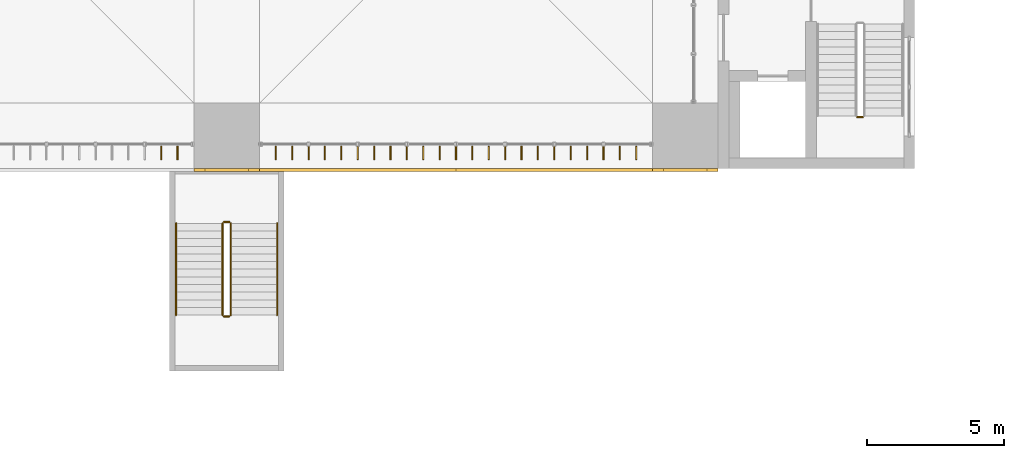
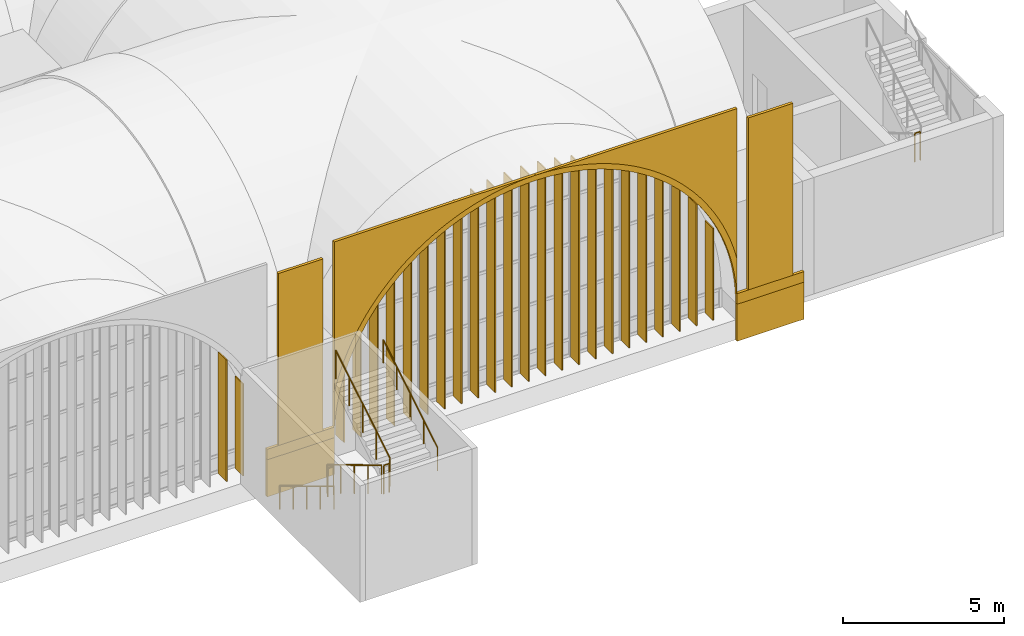
# One storey, part 166 of 169: 25 shading devices, 9 coverings, 7 railings.
"""IFC4 building model written with IfcOpenShell, lengths in metres."""

from ifc_helpers import new_model, si_unit, direction, frame, origin, origin_2d, place, context, subcontext, project, spatial, polyline, rectangle, circle, outline, extrude, material, layer, layer_set, type_object, element, save


model = new_model("IFC4")

# Units and contexts
model_context = context("Model", 3, precision=1e-05, world=origin(), true_north=direction((0.0, 1.0)))
body_context = subcontext(model_context, "Body", "Model", "MODEL_VIEW")
ifc_project = project(units=[si_unit("LENGTHUNIT", "METRE"), si_unit("AREAUNIT", "SQUARE_METRE"), si_unit("VOLUMEUNIT", "CUBIC_METRE"), si_unit("PLANEANGLEUNIT", "RADIAN"), si_unit("MASSUNIT", "GRAM", prefix="KILO")], contexts=[model_context])

# Site, building, storey
site_placement = place(None, origin())
site = spatial("IfcSite", under=ifc_project, at=site_placement, CompositionType="ELEMENT")
building_placement = place(site_placement, origin())
building = spatial("IfcBuilding", under=site, at=building_placement, Name="Verrick Yard Athletic Hall", CompositionType="ELEMENT")
storey_placement = place(building_placement, frame((0.0, 0.0, 4.39990234375)))
storey = spatial("IfcBuildingStorey", under=building, at=storey_placement, Name="L01", CompositionType="ELEMENT", Elevation=4.39990234375)

# Shading devices
ifc_material_1 = material(Name="Anodised aluminium", Category="aluminium")
ifc_layer_1 = layer(ifc_material_1, 0.0400390625)
ifc_layer_set_1 = layer_set([ifc_layer_1], Name="Arcade fin")
shading_device_type = type_object("IfcShadingDeviceType", Name="Arcade fin", PredefinedType="USERDEFINED", material=ifc_layer_set_1)
shading_device_1_placement = place(storey_placement, frame((138.39990234375, 18.82373046875, 0.0), z_axis=(0.0, 0.0, 1.0), x_axis=(0.0, -1.0, 0.0)))
element("IfcShadingDevice", 1, at=shading_device_1_placement, inside=storey, type_object=shading_device_type, Name="Fin RS6.22", ObjectType="FIN", PredefinedType="USERDEFINED", context=body_context, shape_type="SweptSolid", body=[
    extrude(outline(polyline([(0.0, 0.0), (0.5, 0.0), (0.5, 4.5966796875), (0.0, 4.5966796875), (0.0, 0.0)])), frame((0.0, 0.02001953125, 0.0), z_axis=(0.0, -1.0, 0.0), x_axis=(1.0, 0.0, 0.0)), (0.0, 0.0, 1.0), 0.0400390625),
])
for number, where, z_axis, x_axis, name in (
    (2, (139.0, 18.82373046875, 0.0), (0.0, 0.0, 1.0), (0.0, -1.0, 0.0), "Fin RS6.23"),
    (3, (142.60009765625, 18.82373046875, 0.0), (0.0, 0.0, 1.0), (0.0, -1.0, 0.0), "Fin RS7.1"),
):
    element("IfcShadingDevice", number, at=place(storey_placement, frame(where, z_axis=z_axis, x_axis=x_axis)), inside=storey, type_object=shading_device_type, Name=name, ObjectType="FIN", PredefinedType="USERDEFINED", context=body_context, shape_type="SweptSolid", body=[
        extrude(outline(polyline([(0.0, 0.0), (0.5, 0.0), (0.5, 3.4775390625), (0.0, 3.4775390625), (0.0, 0.0)])), frame((0.0, 0.02001953125, 0.0), z_axis=(0.0, -1.0, 0.0), x_axis=(1.0, 0.0, 0.0)), (0.0, 0.0, 1.0), 0.0400390625),
    ])
shading_device_2_placement = place(storey_placement, frame((143.199951171875, 18.82373046875, 0.0), z_axis=(0.0, 0.0, 1.0), x_axis=(0.0, -1.0, 0.0)))
element("IfcShadingDevice", 4, at=shading_device_2_placement, inside=storey, type_object=shading_device_type, Name="Fin RS7.2", ObjectType="FIN", PredefinedType="USERDEFINED", context=body_context, shape_type="SweptSolid", body=[
    extrude(outline(polyline([(0.0, 0.0), (0.5, 0.0), (0.5, 4.5966796875), (0.0, 4.5966796875), (0.0, 0.0)])), frame((0.0, 0.02001953125, 0.0), z_axis=(0.0, -1.0, 0.0), x_axis=(1.0, 0.0, 0.0)), (0.0, 0.0, 1.0), 0.0400390625),
])
shading_device_3_placement = place(storey_placement, frame((143.800048828125, 18.82373046875, 0.0), z_axis=(0.0, 0.0, 1.0), x_axis=(0.0, -1.0, 0.0)))
element("IfcShadingDevice", 5, at=shading_device_3_placement, inside=storey, type_object=shading_device_type, Name="Fin RS7.3", ObjectType="FIN", PredefinedType="USERDEFINED", context=body_context, shape_type="SweptSolid", body=[
    extrude(outline(polyline([(0.0, 0.0), (0.5, 0.0), (0.5, 5.38671875), (0.0, 5.38671875), (0.0, 0.0)])), frame((0.0, 0.02001953125, 0.0), z_axis=(0.0, -1.0, 0.0), x_axis=(1.0, 0.0, 0.0)), (0.0, 0.0, 1.0), 0.0400390625),
])
shading_device_4_placement = place(storey_placement, frame((144.39990234375, 18.82373046875, 0.0), z_axis=(0.0, 0.0, 1.0), x_axis=(0.0, -1.0, 0.0)))
element("IfcShadingDevice", 6, at=shading_device_4_placement, inside=storey, type_object=shading_device_type, Name="Fin RS7.4", ObjectType="FIN", PredefinedType="USERDEFINED", context=body_context, shape_type="SweptSolid", body=[
    extrude(outline(polyline([(0.0, 0.0), (0.5, 0.0), (0.5, 5.996826171875), (0.0, 5.996826171875), (0.0, 0.0)])), frame((0.0, 0.02001953125, 0.0), z_axis=(0.0, -1.0, 0.0), x_axis=(1.0, 0.0, 0.0)), (0.0, 0.0, 1.0), 0.0400390625),
])
shading_device_5_placement = place(storey_placement, frame((145.0, 18.82373046875, 0.0), z_axis=(0.0, 0.0, 1.0), x_axis=(0.0, -1.0, 0.0)))
element("IfcShadingDevice", 7, at=shading_device_5_placement, inside=storey, type_object=shading_device_type, Name="Fin RS7.5", ObjectType="FIN", PredefinedType="USERDEFINED", context=body_context, shape_type="SweptSolid", body=[
    extrude(outline(polyline([(0.0, 0.0), (0.5, 0.0), (0.5, 6.481201171875), (0.0, 6.481201171875), (0.0, 0.0)])), frame((0.0, 0.02001953125, 0.0), z_axis=(0.0, -1.0, 0.0), x_axis=(1.0, 0.0, 0.0)), (0.0, 0.0, 1.0), 0.0400390625),
])
shading_device_6_placement = place(storey_placement, frame((145.60009765625, 18.82373046875, 0.0), z_axis=(0.0, 0.0, 1.0), x_axis=(0.0, -1.0, 0.0)))
element("IfcShadingDevice", 8, at=shading_device_6_placement, inside=storey, type_object=shading_device_type, Name="Fin RS7.6", ObjectType="FIN", PredefinedType="USERDEFINED", context=body_context, shape_type="SweptSolid", body=[
    extrude(outline(polyline([(0.0, 0.0), (0.5, 0.0), (0.5, 6.872802734375), (0.0, 6.872802734375), (0.0, 0.0)])), frame((0.0, 0.02001953125, 0.0), z_axis=(0.0, -1.0, 0.0), x_axis=(1.0, 0.0, 0.0)), (0.0, 0.0, 1.0), 0.0400390625),
])
shading_device_7_placement = place(storey_placement, frame((146.199951171875, 18.82373046875, 0.0), z_axis=(0.0, 0.0, 1.0), x_axis=(0.0, -1.0, 0.0)))
element("IfcShadingDevice", 9, at=shading_device_7_placement, inside=storey, type_object=shading_device_type, Name="Fin RS7.7", ObjectType="FIN", PredefinedType="USERDEFINED", context=body_context, shape_type="SweptSolid", body=[
    extrude(outline(polyline([(0.0, 0.0), (0.5, 0.0), (0.5, 7.18505859375), (0.0, 7.18505859375), (0.0, 0.0)])), frame((0.0, 0.02001953125, 0.0), z_axis=(0.0, -1.0, 0.0), x_axis=(1.0, 0.0, 0.0)), (0.0, 0.0, 1.0), 0.0400390625),
])
shading_device_8_placement = place(storey_placement, frame((146.800048828125, 18.82373046875, 0.0), z_axis=(0.0, 0.0, 1.0), x_axis=(0.0, -1.0, 0.0)))
element("IfcShadingDevice", 10, at=shading_device_8_placement, inside=storey, type_object=shading_device_type, Name="Fin RS7.8", ObjectType="FIN", PredefinedType="USERDEFINED", context=body_context, shape_type="SweptSolid", body=[
    extrude(outline(polyline([(0.0, 0.0), (0.5, 0.0), (0.5, 7.4296875), (0.0, 7.4296875), (0.0, 0.0)])), frame((0.0, 0.02001953125, 0.0), z_axis=(0.0, -1.0, 0.0), x_axis=(1.0, 0.0, 0.0)), (0.0, 0.0, 1.0), 0.0400390625),
])
shading_device_9_placement = place(storey_placement, frame((147.39990234375, 18.82373046875, 0.0), z_axis=(0.0, 0.0, 1.0), x_axis=(0.0, -1.0, 0.0)))
element("IfcShadingDevice", 11, at=shading_device_9_placement, inside=storey, type_object=shading_device_type, Name="Fin RS7.9", ObjectType="FIN", PredefinedType="USERDEFINED", context=body_context, shape_type="SweptSolid", body=[
    extrude(outline(polyline([(0.0, 0.0), (0.5, 0.0), (0.5, 7.614990234375), (0.0, 7.614990234375), (0.0, 0.0)])), frame((0.0, 0.02001953125, 0.0), z_axis=(0.0, -1.0, 0.0), x_axis=(1.0, 0.0, 0.0)), (0.0, 0.0, 1.0), 0.0400390625),
])
shading_device_10_placement = place(storey_placement, frame((148.0, 18.82373046875, 0.0), z_axis=(0.0, 0.0, 1.0), x_axis=(0.0, -1.0, 0.0)))
element("IfcShadingDevice", 12, at=shading_device_10_placement, inside=storey, type_object=shading_device_type, Name="Fin RS7.10", ObjectType="FIN", PredefinedType="USERDEFINED", context=body_context, shape_type="SweptSolid", body=[
    extrude(outline(polyline([(0.0, 0.0), (0.5, 0.0), (0.5, 7.744873046875), (0.0, 7.744873046875), (0.0, 0.0)])), frame((0.0, 0.02001953125, 0.0), z_axis=(0.0, -1.0, 0.0), x_axis=(1.0, 0.0, 0.0)), (0.0, 0.0, 1.0), 0.0400390625),
])
shading_device_11_placement = place(storey_placement, frame((148.60009765625, 18.82373046875, 0.0), z_axis=(0.0, 0.0, 1.0), x_axis=(0.0, -1.0, 0.0)))
element("IfcShadingDevice", 13, at=shading_device_11_placement, inside=storey, type_object=shading_device_type, Name="Fin RS7.11", ObjectType="FIN", PredefinedType="USERDEFINED", context=body_context, shape_type="SweptSolid", body=[
    extrude(outline(polyline([(0.0, 0.0), (0.5, 0.0), (0.5, 7.82275390625), (0.0, 7.82275390625), (0.0, 0.0)])), frame((0.0, 0.02001953125, 0.0), z_axis=(0.0, -1.0, 0.0), x_axis=(1.0, 0.0, 0.0)), (0.0, 0.0, 1.0), 0.0400390625),
])
shading_device_12_placement = place(storey_placement, frame((149.199951171875, 18.82373046875, 0.0), z_axis=(0.0, 0.0, 1.0), x_axis=(0.0, -1.0, 0.0)))
element("IfcShadingDevice", 14, at=shading_device_12_placement, inside=storey, type_object=shading_device_type, Name="Fin RS7.12", ObjectType="FIN", PredefinedType="USERDEFINED", context=body_context, shape_type="SweptSolid", body=[
    extrude(outline(polyline([(0.0, 0.0), (0.5, 0.0), (0.5, 7.84912109375), (0.0, 7.84912109375), (0.0, 0.0)])), frame((0.0, 0.02001953125, 0.0), z_axis=(0.0, -1.0, 0.0), x_axis=(1.0, 0.0, 0.0)), (0.0, 0.0, 1.0), 0.0400390625),
])
shading_device_13_placement = place(storey_placement, frame((149.800048828125, 18.82373046875, 0.0), z_axis=(0.0, 0.0, 1.0), x_axis=(0.0, -1.0, 0.0)))
element("IfcShadingDevice", 15, at=shading_device_13_placement, inside=storey, type_object=shading_device_type, Name="Fin RS7.13", ObjectType="FIN", PredefinedType="USERDEFINED", context=body_context, shape_type="SweptSolid", body=[
    extrude(outline(polyline([(0.0, 0.0), (0.5, 0.0), (0.5, 7.82275390625), (0.0, 7.82275390625), (0.0, 0.0)])), frame((0.0, 0.02001953125, 0.0), z_axis=(0.0, -1.0, 0.0), x_axis=(1.0, 0.0, 0.0)), (0.0, 0.0, 1.0), 0.0400390625),
])
shading_device_14_placement = place(storey_placement, frame((150.39990234375, 18.82373046875, 0.0), z_axis=(0.0, 0.0, 1.0), x_axis=(0.0, -1.0, 0.0)))
element("IfcShadingDevice", 16, at=shading_device_14_placement, inside=storey, type_object=shading_device_type, Name="Fin RS7.14", ObjectType="FIN", PredefinedType="USERDEFINED", context=body_context, shape_type="SweptSolid", body=[
    extrude(outline(polyline([(0.0, 0.0), (0.5, 0.0), (0.5, 7.744873046875), (0.0, 7.744873046875), (0.0, 0.0)])), frame((0.0, 0.02001953125, 0.0), z_axis=(0.0, -1.0, 0.0), x_axis=(1.0, 0.0, 0.0)), (0.0, 0.0, 1.0), 0.0400390625),
])
shading_device_15_placement = place(storey_placement, frame((151.0, 18.82373046875, 0.0), z_axis=(0.0, 0.0, 1.0), x_axis=(0.0, -1.0, 0.0)))
element("IfcShadingDevice", 17, at=shading_device_15_placement, inside=storey, type_object=shading_device_type, Name="Fin RS7.15", ObjectType="FIN", PredefinedType="USERDEFINED", context=body_context, shape_type="SweptSolid", body=[
    extrude(outline(polyline([(0.0, 0.0), (0.5, 0.0), (0.5, 7.614990234375), (0.0, 7.614990234375), (0.0, 0.0)])), frame((0.0, 0.02001953125, 0.0), z_axis=(0.0, -1.0, 0.0), x_axis=(1.0, 0.0, 0.0)), (0.0, 0.0, 1.0), 0.0400390625),
])
shading_device_16_placement = place(storey_placement, frame((151.60009765625, 18.82373046875, 0.0), z_axis=(0.0, 0.0, 1.0), x_axis=(0.0, -1.0, 0.0)))
element("IfcShadingDevice", 18, at=shading_device_16_placement, inside=storey, type_object=shading_device_type, Name="Fin RS7.16", ObjectType="FIN", PredefinedType="USERDEFINED", context=body_context, shape_type="SweptSolid", body=[
    extrude(outline(polyline([(0.0, 0.0), (0.5, 0.0), (0.5, 7.4296875), (0.0, 7.4296875), (0.0, 0.0)])), frame((0.0, 0.02001953125, 0.0), z_axis=(0.0, -1.0, 0.0), x_axis=(1.0, 0.0, 0.0)), (0.0, 0.0, 1.0), 0.0400390625),
])
shading_device_17_placement = place(storey_placement, frame((152.199951171875, 18.82373046875, 0.0), z_axis=(0.0, 0.0, 1.0), x_axis=(0.0, -1.0, 0.0)))
element("IfcShadingDevice", 19, at=shading_device_17_placement, inside=storey, type_object=shading_device_type, Name="Fin RS7.17", ObjectType="FIN", PredefinedType="USERDEFINED", context=body_context, shape_type="SweptSolid", body=[
    extrude(outline(polyline([(0.0, 0.0), (0.5, 0.0), (0.5, 7.18505859375), (0.0, 7.18505859375), (0.0, 0.0)])), frame((0.0, 0.02001953125, 0.0), z_axis=(0.0, -1.0, 0.0), x_axis=(1.0, 0.0, 0.0)), (0.0, 0.0, 1.0), 0.0400390625),
])
shading_device_18_placement = place(storey_placement, frame((152.800048828125, 18.82373046875, 0.0), z_axis=(0.0, 0.0, 1.0), x_axis=(0.0, -1.0, 0.0)))
element("IfcShadingDevice", 20, at=shading_device_18_placement, inside=storey, type_object=shading_device_type, Name="Fin RS7.18", ObjectType="FIN", PredefinedType="USERDEFINED", context=body_context, shape_type="SweptSolid", body=[
    extrude(outline(polyline([(0.0, 0.0), (0.5, 0.0), (0.5, 6.872802734375), (0.0, 6.872802734375), (0.0, 0.0)])), frame((0.0, 0.02001953125, 0.0), z_axis=(0.0, -1.0, 0.0), x_axis=(1.0, 0.0, 0.0)), (0.0, 0.0, 1.0), 0.0400390625),
])
shading_device_19_placement = place(storey_placement, frame((153.39990234375, 18.82373046875, 0.0), z_axis=(0.0, 0.0, 1.0), x_axis=(0.0, -1.0, 0.0)))
element("IfcShadingDevice", 21, at=shading_device_19_placement, inside=storey, type_object=shading_device_type, Name="Fin RS7.19", ObjectType="FIN", PredefinedType="USERDEFINED", context=body_context, shape_type="SweptSolid", body=[
    extrude(outline(polyline([(0.0, 0.0), (0.5, 0.0), (0.5, 6.481201171875), (0.0, 6.481201171875), (0.0, 0.0)])), frame((0.0, 0.02001953125, 0.0), z_axis=(0.0, -1.0, 0.0), x_axis=(1.0, 0.0, 0.0)), (0.0, 0.0, 1.0), 0.0400390625),
])
shading_device_20_placement = place(storey_placement, frame((154.0, 18.82373046875, 0.0), z_axis=(0.0, 0.0, 1.0), x_axis=(0.0, -1.0, 0.0)))
element("IfcShadingDevice", 22, at=shading_device_20_placement, inside=storey, type_object=shading_device_type, Name="Fin RS7.20", ObjectType="FIN", PredefinedType="USERDEFINED", context=body_context, shape_type="SweptSolid", body=[
    extrude(outline(polyline([(0.0, 0.0), (0.5, 0.0), (0.5, 5.996826171875), (0.0, 5.996826171875), (0.0, 0.0)])), frame((0.0, 0.02001953125, 0.0), z_axis=(0.0, -1.0, 0.0), x_axis=(1.0, 0.0, 0.0)), (0.0, 0.0, 1.0), 0.0400390625),
])
shading_device_21_placement = place(storey_placement, frame((154.60009765625, 18.82373046875, 0.0), z_axis=(0.0, 0.0, 1.0), x_axis=(0.0, -1.0, 0.0)))
element("IfcShadingDevice", 23, at=shading_device_21_placement, inside=storey, type_object=shading_device_type, Name="Fin RS7.21", ObjectType="FIN", PredefinedType="USERDEFINED", context=body_context, shape_type="SweptSolid", body=[
    extrude(outline(polyline([(0.0, 0.0), (0.5, 0.0), (0.5, 5.38671875), (0.0, 5.38671875), (0.0, 0.0)])), frame((0.0, 0.02001953125, 0.0), z_axis=(0.0, -1.0, 0.0), x_axis=(1.0, 0.0, 0.0)), (0.0, 0.0, 1.0), 0.0400390625),
])
shading_device_22_placement = place(storey_placement, frame((155.199951171875, 18.82373046875, 0.0), z_axis=(0.0, 0.0, 1.0), x_axis=(0.0, -1.0, 0.0)))
element("IfcShadingDevice", 24, at=shading_device_22_placement, inside=storey, type_object=shading_device_type, Name="Fin RS7.22", ObjectType="FIN", PredefinedType="USERDEFINED", context=body_context, shape_type="SweptSolid", body=[
    extrude(outline(polyline([(0.0, 0.0), (0.5, 0.0), (0.5, 4.5966796875), (0.0, 4.5966796875), (0.0, 0.0)])), frame((0.0, 0.02001953125, 0.0), z_axis=(0.0, -1.0, 0.0), x_axis=(1.0, 0.0, 0.0)), (0.0, 0.0, 1.0), 0.0400390625),
])
shading_device_23_placement = place(storey_placement, frame((155.800048828125, 18.82373046875, 0.0), z_axis=(0.0, 0.0, 1.0), x_axis=(0.0, -1.0, 0.0)))
element("IfcShadingDevice", 25, at=shading_device_23_placement, inside=storey, type_object=shading_device_type, Name="Fin RS7.23", ObjectType="FIN", PredefinedType="USERDEFINED", context=body_context, shape_type="SweptSolid", body=[
    extrude(outline(polyline([(0.0, 0.0), (0.5, 0.0), (0.5, 3.4775390625), (0.0, 3.4775390625), (0.0, 0.0)])), frame((0.0, 0.02001953125, 0.0), z_axis=(0.0, -1.0, 0.0), x_axis=(1.0, 0.0, 0.0)), (0.0, 0.0, 1.0), 0.0400390625),
])

# Coverings
ifc_material_2 = material(Name="Limestone cladding", Category="masonry")
ifc_layer_2 = layer(ifc_material_2, 0.10009765625)
ifc_layer_set_2 = layer_set([ifc_layer_2], Name="Arch ring cladding")
covering_type_1 = type_object("IfcCoveringType", Name="Arch ring cladding", PredefinedType="CLADDING", material=ifc_layer_set_2)
covering_1_placement = place(storey_placement, frame((142.0, 17.949951171875, 0.650146484375), z_axis=(0.0, 0.0, 1.0), x_axis=(1.0, 0.0, 0.0)))
element("IfcCovering", 26, at=covering_1_placement, inside=storey, type_object=covering_type_1, Name="Arch ring RS7", PredefinedType="CLADDING", context=body_context, shape_type="SweptSolid", body=[
    extrude(outline(polyline([(0.0, 1.7021484375), (0.0, 0.0), (0.0068359375, 0.31396484375), (0.02734375, 0.62744140625), (0.0615234375, 0.939697265625), (0.109375, 1.250244140625), (0.170654296875, 1.558349609375), (0.245361328125, 1.863525390625), (0.333251953125, 2.1650390625), (0.43408203125, 2.46240234375), (0.548095703125, 2.75537109375), (0.674560546875, 3.04296875), (0.8134765625, 3.324462890625), (0.964599609375, 3.599853515625), (1.127685546875, 3.86865234375), (1.302001953125, 4.129638671875), (1.48779296875, 4.383056640625), (1.6845703125, 4.6279296875), (1.8916015625, 4.8642578125), (2.10888671875, 5.091064453125), (2.335693359375, 5.308349609375), (2.572021484375, 5.515380859375), (2.81689453125, 5.712158203125), (3.0703125, 5.89794921875), (3.331298828125, 6.072265625), (3.60009765625, 6.2353515625), (3.87548828125, 6.386474609375), (4.156982421875, 6.525390625), (4.444580078125, 6.65185546875), (4.737548828125, 6.765869140625), (5.034912109375, 6.86669921875), (5.33642578125, 6.95458984375), (5.6416015625, 7.029296875), (5.94970703125, 7.090576171875), (6.26025390625, 7.138427734375), (6.572509765625, 7.172607421875), (6.885986328125, 7.193115234375), (7.199951171875, 7.199951171875), (7.51416015625, 7.193115234375), (7.827392578125, 7.172607421875), (8.139892578125, 7.138427734375), (8.4501953125, 7.090576171875), (8.75830078125, 7.029296875), (9.0634765625, 6.95458984375), (9.364990234375, 6.86669921875), (9.66259765625, 6.765869140625), (9.955322265625, 6.65185546875), (10.242919921875, 6.525390625), (10.524658203125, 6.386474609375), (10.800048828125, 6.2353515625), (11.068603515625, 6.072265625), (11.329833984375, 5.89794921875), (11.5830078125, 5.712158203125), (11.828125, 5.515380859375), (12.064208984375, 5.308349609375), (12.291259765625, 5.091064453125), (12.50830078125, 4.8642578125), (12.715576171875, 4.6279296875), (12.912109375, 4.383056640625), (13.097900390625, 4.129638671875), (13.2724609375, 3.86865234375), (13.435302734375, 3.599853515625), (13.58642578125, 3.324462890625), (13.725341796875, 3.04296875), (13.851806640625, 2.75537109375), (13.9658203125, 2.46240234375), (14.06689453125, 2.1650390625), (14.15478515625, 1.863525390625), (14.229248046875, 1.558349609375), (14.29052734375, 1.250244140625), (14.33837890625, 0.939697265625), (14.37255859375, 0.62744140625), (14.39306640625, 0.31396484375), (14.39990234375, 0.0), (14.39990234375, 1.7021484375), (14.347900390625, 1.915283203125), (14.257568359375, 2.22509765625), (14.15380859375, 2.53076171875), (14.03662109375, 2.831787109375), (13.90673828125, 3.12744140625), (13.763916015625, 3.416748046875), (13.608642578125, 3.699951171875), (13.441162109375, 3.975830078125), (13.26171875, 4.244384765625), (13.07080078125, 4.504638671875), (12.86865234375, 4.756591796875), (12.656005859375, 4.999267578125), (12.4326171875, 5.232666015625), (12.199462890625, 5.455810546875), (11.95654296875, 5.668701171875), (11.704833984375, 5.870849609375), (11.444580078125, 6.061767578125), (11.176025390625, 6.240966796875), (10.89990234375, 6.408447265625), (10.616943359375, 6.56396484375), (10.327392578125, 6.70654296875), (10.031982421875, 6.836669921875), (9.73095703125, 6.95361328125), (9.42529296875, 7.057373046875), (9.115234375, 7.14794921875), (8.8017578125, 7.224609375), (8.485107421875, 7.28759765625), (8.166015625, 7.336669921875), (7.844970703125, 7.371826171875), (7.522705078125, 7.39306640625), (7.199951171875, 7.39990234375), (6.877197265625, 7.39306640625), (6.554931640625, 7.371826171875), (6.234130859375, 7.336669921875), (5.9150390625, 7.28759765625), (5.598388671875, 7.224609375), (5.28466796875, 7.14794921875), (4.974853515625, 7.057373046875), (4.669189453125, 6.95361328125), (4.3681640625, 6.836669921875), (4.072509765625, 6.70654296875), (3.783203125, 6.56396484375), (3.5, 6.408447265625), (3.22412109375, 6.240966796875), (2.95556640625, 6.061767578125), (2.6953125, 5.870849609375), (2.443359375, 5.668701171875), (2.20068359375, 5.455810546875), (1.96728515625, 5.232666015625), (1.744140625, 4.999267578125), (1.53125, 4.756591796875), (1.3291015625, 4.504638671875), (1.13818359375, 4.244384765625), (0.958984375, 3.975830078125), (0.79150390625, 3.699951171875), (0.635986328125, 3.416748046875), (0.493408203125, 3.12744140625), (0.36328125, 2.831787109375), (0.246337890625, 2.53076171875), (0.142578125, 2.22509765625), (0.052001953125, 1.915283203125), (0.0, 1.7021484375)])), frame((0.0, 0.050048828125, 0.0), z_axis=(0.0, -1.0, 0.0), x_axis=(1.0, 0.0, 0.0)), (0.0, 0.0, 1.0), 0.10009765625),
])
ifc_layer_3 = layer(ifc_material_2, 0.10009765625)
ifc_layer_set_3 = layer_set([ifc_layer_3], Name="Impost and capital moulding")
covering_type_2 = type_object("IfcCoveringType", Name="Impost and capital moulding", PredefinedType="MOLDING", material=ifc_layer_set_3)
for number, where, z_axis, x_axis, name in (
    (27, (140.800048828125, 17.949951171875, 0.650146484375), (0.0, 0.0, 1.0), (1.0, 0.0, 0.0), "Impost S7"),
    (28, (157.60009765625, 17.949951171875, 0.650146484375), (0.0, 0.0, 1.0), (1.0, 0.0, 0.0), "Impost S8"),
):
    element("IfcCovering", number, at=place(storey_placement, frame(where, z_axis=z_axis, x_axis=x_axis)), inside=storey, type_object=covering_type_2, Name=name, PredefinedType="MOLDING", context=body_context, shape_type="SweptSolid", body=[
        extrude(rectangle(XDim=2.39990234375, YDim=0.10009765625, at=origin_2d()), origin(), (0.0, 0.0, 1.0), 0.39990234375),
    ])
ifc_material_3 = material(Name="Rusticated limestone cladding", Category="masonry")
ifc_layer_4 = layer(ifc_material_3, 0.10009765625)
ifc_layer_set_4 = layer_set([ifc_layer_4], Name="Pier base cladding")
covering_type_3 = type_object("IfcCoveringType", Name="Pier base cladding", PredefinedType="CLADDING", material=ifc_layer_set_4)
for number, where, z_axis, x_axis, name in (
    (29, (140.800048828125, 17.949951171875, -0.749755859375), (0.0, 0.0, 1.0), (1.0, 0.0, 0.0), "Pier string S7"),
    (30, (157.60009765625, 17.949951171875, -0.749755859375), (0.0, 0.0, 1.0), (1.0, 0.0, 0.0), "Pier string S8"),
):
    element("IfcCovering", number, at=place(storey_placement, frame(where, z_axis=z_axis, x_axis=x_axis)), inside=storey, type_object=covering_type_3, Name=name, PredefinedType="CLADDING", context=body_context, shape_type="SweptSolid", body=[
        extrude(rectangle(XDim=2.39990234375, YDim=0.10009765625, at=origin_2d()), origin(), (0.0, 0.0, 1.0), 1.39990234375),
    ])
ifc_layer_5 = layer(ifc_material_2, 0.10009765625)
ifc_layer_set_5 = layer_set([ifc_layer_5], Name="Pilaster cladding")
covering_type_4 = type_object("IfcCoveringType", Name="Pilaster cladding", PredefinedType="CLADDING", material=ifc_layer_set_5)
for number, where, z_axis, x_axis, name in (
    (31, (140.800048828125, 17.949951171875, 1.050048828125), (0.0, 0.0, 1.0), (1.0, 0.0, 0.0), "Pilaster S7"),
    (32, (157.60009765625, 17.949951171875, 1.050048828125), (0.0, 0.0, 1.0), (1.0, 0.0, 0.0), "Pilaster S8"),
):
    element("IfcCovering", number, at=place(storey_placement, frame(where, z_axis=z_axis, x_axis=x_axis)), inside=storey, type_object=covering_type_4, Name=name, PredefinedType="CLADDING", context=body_context, shape_type="SweptSolid", body=[
        extrude(rectangle(XDim=1.60009765625, YDim=0.10009765625, at=origin_2d()), origin(), (0.0, 0.0, 1.0), 6.5),
    ])
ifc_layer_6 = layer(ifc_material_2, 0.10009765625)
ifc_layer_set_6 = layer_set([ifc_layer_6], Name="Spandrel cladding")
covering_type_5 = type_object("IfcCoveringType", Name="Spandrel cladding", PredefinedType="CLADDING", material=ifc_layer_set_6)
covering_2_placement = place(storey_placement, frame((142.0, 17.949951171875, 2.352294921875), z_axis=(0.0, 0.0, 1.0), x_axis=(1.0, 0.0, 0.0)))
element("IfcCovering", 33, at=covering_2_placement, inside=storey, type_object=covering_type_5, Name="Spandrel RS7.1", PredefinedType="CLADDING", context=body_context, shape_type="SweptSolid", body=[
    extrude(outline(polyline([(0.0, 0.0), (0.052001953125, 0.213134765625), (0.142578125, 0.52294921875), (0.246337890625, 0.82861328125), (0.36328125, 1.129638671875), (0.493408203125, 1.42529296875), (0.635986328125, 1.714599609375), (0.79150390625, 1.997802734375), (0.958984375, 2.273681640625), (1.13818359375, 2.542236328125), (1.3291015625, 2.802490234375), (1.53125, 3.054443359375), (1.744140625, 3.297119140625), (1.96728515625, 3.530517578125), (2.20068359375, 3.753662109375), (2.443359375, 3.966552734375), (2.6953125, 4.168701171875), (2.95556640625, 4.359619140625), (3.22412109375, 4.538818359375), (3.5, 4.706298828125), (3.783203125, 4.86181640625), (4.072509765625, 5.00439453125), (4.3681640625, 5.134521484375), (4.669189453125, 5.25146484375), (4.974853515625, 5.355224609375), (5.28466796875, 5.44580078125), (5.598388671875, 5.5224609375), (5.9150390625, 5.58544921875), (6.234130859375, 5.634521484375), (6.554931640625, 5.669677734375), (6.877197265625, 5.69091796875), (7.199951171875, 5.69775390625), (0.0, 5.69775390625), (0.0, 0.0)])), frame((0.0, 0.050048828125, 0.0), z_axis=(0.0, -1.0, 0.0), x_axis=(1.0, 0.0, 0.0)), (0.0, 0.0, 1.0), 0.10009765625),
])
covering_3_placement = place(storey_placement, frame((142.0, 17.949951171875, 2.352294921875), z_axis=(0.0, 0.0, 1.0), x_axis=(1.0, 0.0, 0.0)))
element("IfcCovering", 34, at=covering_3_placement, inside=storey, type_object=covering_type_5, Name="Spandrel RS7.2", PredefinedType="CLADDING", context=body_context, shape_type="SweptSolid", body=[
    extrude(outline(polyline([(7.199951171875, 5.69775390625), (7.522705078125, 5.69091796875), (7.844970703125, 5.669677734375), (8.166015625, 5.634521484375), (8.485107421875, 5.58544921875), (8.8017578125, 5.5224609375), (9.115234375, 5.44580078125), (9.42529296875, 5.355224609375), (9.73095703125, 5.25146484375), (10.031982421875, 5.134521484375), (10.327392578125, 5.00439453125), (10.616943359375, 4.86181640625), (10.89990234375, 4.706298828125), (11.176025390625, 4.538818359375), (11.444580078125, 4.359619140625), (11.704833984375, 4.168701171875), (11.95654296875, 3.966552734375), (12.199462890625, 3.753662109375), (12.4326171875, 3.530517578125), (12.656005859375, 3.297119140625), (12.86865234375, 3.054443359375), (13.07080078125, 2.802490234375), (13.26171875, 2.542236328125), (13.441162109375, 2.273681640625), (13.608642578125, 1.997802734375), (13.763916015625, 1.714599609375), (13.90673828125, 1.42529296875), (14.03662109375, 1.129638671875), (14.15380859375, 0.82861328125), (14.257568359375, 0.52294921875), (14.347900390625, 0.213134765625), (14.39990234375, 0.0), (14.39990234375, 5.69775390625), (7.199951171875, 5.69775390625)])), frame((0.0, 0.050048828125, 0.0), z_axis=(0.0, -1.0, 0.0), x_axis=(1.0, 0.0, 0.0)), (0.0, 0.0, 1.0), 0.10009765625),
])

# Railings
ifc_material_4 = material(Name="Stainless steel", Category="steel")
railing_type_1 = type_object("IfcRailingType", Name="Stair and core guard 1100", PredefinedType="GUARDRAIL", material=ifc_material_4)
railing_1_placement = place(storey_placement, frame((163.89990234375, 19.889892578125, 2.2001953125)))
element("IfcRailing", 35, at=railing_1_placement, inside=storey, type_object=railing_type_1, Name="L01 Plinth south-east stair guard 2", PredefinedType="GUARDRAIL", context=body_context, shape_type="SweptSolid", body=[
    extrude(circle(Radius=0.02392578125, at=origin_2d()), frame((0.0, 0.0, 1.076171875), z_axis=(1.0, 0.0, 0.0), x_axis=(0.0, 1.0, 0.0)), (0.0, 0.0, 1.0), 0.2001953125),
    extrude(circle(Radius=0.02099609375, at=origin_2d()), origin(), (0.0, 0.0, 1.0), 1.052001953125),
    extrude(circle(Radius=0.02099609375, at=origin_2d()), frame((0.2001953125, 0.0, 0.0)), (0.0, 0.0, 1.0), 1.052001953125),
])
railing_2_placement = place(storey_placement, frame((140.64990234375, 16.0, 0.16943359375)))
element("IfcRailing", 36, at=railing_2_placement, inside=storey, type_object=railing_type_1, Name="L01 South deck escape 2 stair guard 1", PredefinedType="GUARDRAIL", context=body_context, shape_type="SweptSolid", body=[
    extrude(circle(Radius=0.02392578125, at=origin_2d()), frame((0.0, 0.0, 1.076171875), z_axis=(0.0, -0.855836976705, 0.517245656632), x_axis=(1.0, 0.0, 0.0)), (0.0, 0.0, 1.0), 3.926025390625),
    extrude(circle(Radius=0.02099609375, at=origin_2d()), origin(), (0.0, 0.0, 1.0), 1.052001953125),
    extrude(circle(Radius=0.02099609375, at=origin_2d()), frame((0.0, -0.840087890625, 0.5078125)), (0.0, 0.0, 1.0), 1.052001953125),
    extrude(circle(Radius=0.02099609375, at=origin_2d()), frame((0.0, -1.68017578125, 1.015380859375)), (0.0, 0.0, 1.0), 1.052001953125),
    extrude(circle(Radius=0.02099609375, at=origin_2d()), frame((0.0, -2.52001953125, 1.52294921875)), (0.0, 0.0, 1.0), 1.052001953125),
    extrude(circle(Radius=0.02099609375, at=origin_2d()), frame((0.0, -3.360107421875, 2.03076171875)), (0.0, 0.0, 1.0), 1.052001953125),
])
railing_3_placement = place(storey_placement, frame((140.699951171875, 12.590087890625, 2.2001953125)))
element("IfcRailing", 37, at=railing_3_placement, inside=storey, type_object=railing_type_1, Name="L01 South deck escape 2 stair guard 2", PredefinedType="GUARDRAIL", context=body_context, shape_type="SweptSolid", body=[
    extrude(circle(Radius=0.02392578125, at=origin_2d()), frame((0.0, 0.0, 1.076171875), z_axis=(1.0, 0.0, 0.0), x_axis=(0.0, 1.0, 0.0)), (0.0, 0.0, 1.0), 0.199951171875),
    extrude(circle(Radius=0.02099609375, at=origin_2d()), origin(), (0.0, 0.0, 1.0), 1.052001953125),
    extrude(circle(Radius=0.02099609375, at=origin_2d()), frame((0.199951171875, 0.0, 0.0)), (0.0, 0.0, 1.0), 1.052001953125),
])
railing_4_placement = place(storey_placement, frame((140.949951171875, 12.639892578125, 2.369384765625)))
element("IfcRailing", 38, at=railing_4_placement, inside=storey, type_object=railing_type_1, Name="L01 South deck escape 2 stair guard 3", PredefinedType="GUARDRAIL", context=body_context, shape_type="SweptSolid", body=[
    extrude(circle(Radius=0.02392578125, at=origin_2d()), frame((0.0, 0.0, 1.076171875), z_axis=(0.0, 0.855836976705, 0.517245656632), x_axis=(-1.0, 0.0, 0.0)), (0.0, 0.0, 1.0), 3.926025390625),
    extrude(circle(Radius=0.02099609375, at=origin_2d()), origin(), (0.0, 0.0, 1.0), 1.052001953125),
    extrude(circle(Radius=0.02099609375, at=origin_2d()), frame((0.0, 0.840087890625, 0.5078125)), (0.0, 0.0, 1.0), 1.052001953125),
    extrude(circle(Radius=0.02099609375, at=origin_2d()), frame((0.0, 1.68017578125, 1.015380859375)), (0.0, 0.0, 1.0), 1.052001953125),
    extrude(circle(Radius=0.02099609375, at=origin_2d()), frame((0.0, 2.52001953125, 1.52294921875)), (0.0, 0.0, 1.0), 1.052001953125),
    extrude(circle(Radius=0.02099609375, at=origin_2d()), frame((0.0, 3.360107421875, 2.03076171875)), (0.0, 0.0, 1.0), 1.052001953125),
])
railing_5_placement = place(storey_placement, frame((140.699951171875, 16.050048828125, 0.0)))
element("IfcRailing", 39, at=railing_5_placement, inside=storey, type_object=railing_type_1, Name="L01 South deck escape 2 stair guard 4", PredefinedType="GUARDRAIL", context=body_context, shape_type="SweptSolid", body=[
    extrude(circle(Radius=0.02392578125, at=origin_2d()), frame((0.0, 0.0, 1.076171875), z_axis=(1.0, 0.0, 0.0), x_axis=(0.0, 1.0, 0.0)), (0.0, 0.0, 1.0), 0.199951171875),
    extrude(circle(Radius=0.02099609375, at=origin_2d()), origin(), (0.0, 0.0, 1.0), 1.052001953125),
    extrude(circle(Radius=0.02099609375, at=origin_2d()), frame((0.199951171875, 0.0, 0.0)), (0.0, 0.0, 1.0), 1.052001953125),
])
railing_type_2 = type_object("IfcRailingType", Name="Stair handrail 900", PredefinedType="HANDRAIL", material=ifc_material_4)
railing_6_placement = place(storey_placement, frame((138.949951171875, 16.0, 0.16943359375)))
element("IfcRailing", 40, at=railing_6_placement, inside=storey, type_object=railing_type_2, Name="L01 South deck escape 2 stair handrail 1", PredefinedType="HANDRAIL", context=body_context, shape_type="SweptSolid", body=[
    extrude(circle(Radius=0.02392578125, at=origin_2d()), frame((0.0, 0.0, 0.8759765625), z_axis=(0.0, -0.855836976705, 0.517245656632), x_axis=(1.0, 0.0, 0.0)), (0.0, 0.0, 1.0), 3.926025390625),
    extrude(circle(Radius=0.02099609375, at=origin_2d()), origin(), (0.0, 0.0, 1.0), 0.851806640625),
    extrude(circle(Radius=0.02099609375, at=origin_2d()), frame((0.0, -0.840087890625, 0.5078125)), (0.0, 0.0, 1.0), 0.851806640625),
    extrude(circle(Radius=0.02099609375, at=origin_2d()), frame((0.0, -1.68017578125, 1.015380859375)), (0.0, 0.0, 1.0), 0.851806640625),
    extrude(circle(Radius=0.02099609375, at=origin_2d()), frame((0.0, -2.52001953125, 1.52294921875)), (0.0, 0.0, 1.0), 0.851806640625),
    extrude(circle(Radius=0.02099609375, at=origin_2d()), frame((0.0, -3.360107421875, 2.03076171875)), (0.0, 0.0, 1.0), 0.851806640625),
])
railing_7_placement = place(storey_placement, frame((142.64990234375, 12.639892578125, 2.369384765625)))
element("IfcRailing", 41, at=railing_7_placement, inside=storey, type_object=railing_type_2, Name="L01 South deck escape 2 stair handrail 2", PredefinedType="HANDRAIL", context=body_context, shape_type="SweptSolid", body=[
    extrude(circle(Radius=0.02392578125, at=origin_2d()), frame((0.0, 0.0, 0.8759765625), z_axis=(0.0, 0.855836976705, 0.517245656632), x_axis=(-1.0, 0.0, 0.0)), (0.0, 0.0, 1.0), 3.926025390625),
    extrude(circle(Radius=0.02099609375, at=origin_2d()), origin(), (0.0, 0.0, 1.0), 0.851806640625),
    extrude(circle(Radius=0.02099609375, at=origin_2d()), frame((0.0, 0.840087890625, 0.5078125)), (0.0, 0.0, 1.0), 0.851806640625),
    extrude(circle(Radius=0.02099609375, at=origin_2d()), frame((0.0, 1.68017578125, 1.015380859375)), (0.0, 0.0, 1.0), 0.851806640625),
    extrude(circle(Radius=0.02099609375, at=origin_2d()), frame((0.0, 2.52001953125, 1.52294921875)), (0.0, 0.0, 1.0), 0.851806640625),
    extrude(circle(Radius=0.02099609375, at=origin_2d()), frame((0.0, 3.360107421875, 2.03076171875)), (0.0, 0.0, 1.0), 0.851806640625),
])

save(model, "model.ifc")
